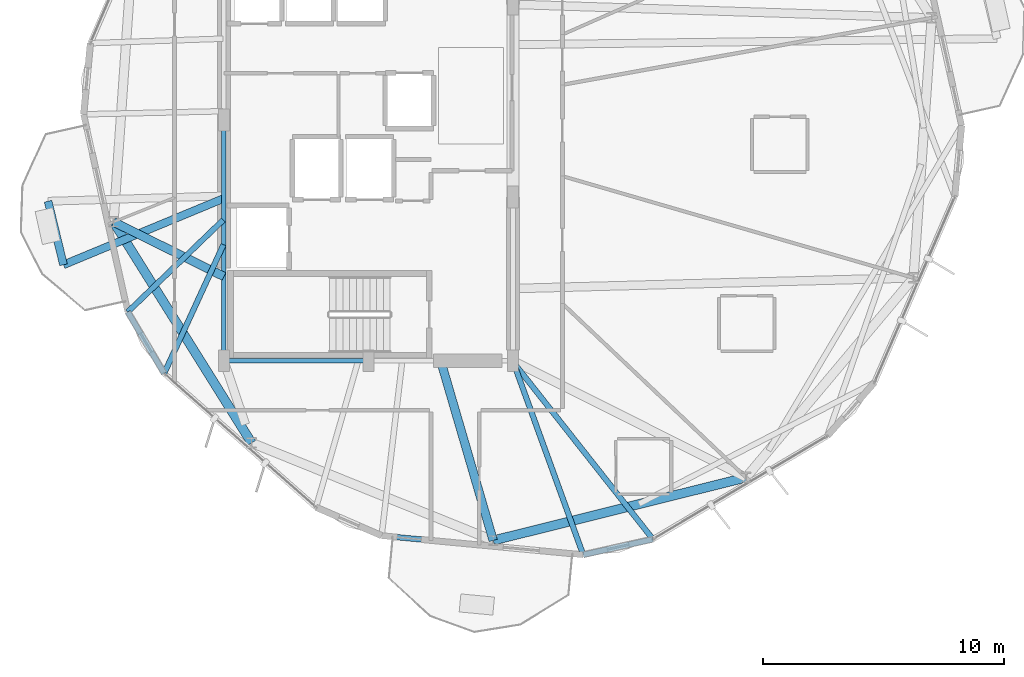
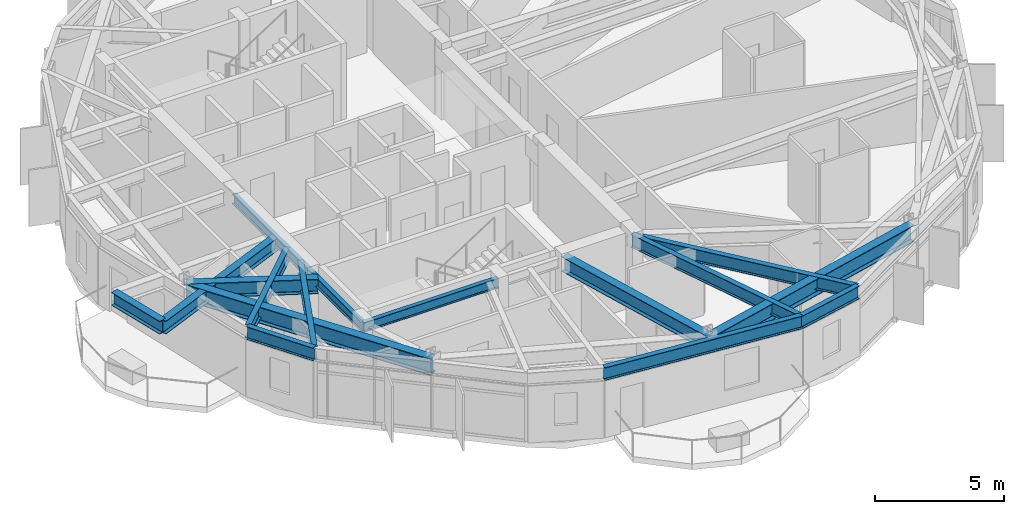
# One storey, part 3 of 21: 15 beams.
"""IFC4 building model written with IfcOpenShell, lengths in metres."""

from ifc_helpers import new_model, si_unit, direction, frame, origin, origin_2d, place, context, subcontext, project, spatial, i_section, extrude, material, material_profile, profile_set, type_object, element, save


model = new_model("IFC4")

# Units and contexts
model_context = context("Model", 3, precision=1e-05, world=origin(), true_north=direction((0.0, 1.0)))
body_context = subcontext(model_context, "Body", "Model", "MODEL_VIEW")
ifc_project = project(units=[si_unit("LENGTHUNIT", "METRE"), si_unit("AREAUNIT", "SQUARE_METRE"), si_unit("VOLUMEUNIT", "CUBIC_METRE"), si_unit("PLANEANGLEUNIT", "RADIAN"), si_unit("MASSUNIT", "GRAM", prefix="KILO")], contexts=[model_context])

# Site, building, storey
site_placement = place(None, origin())
site = spatial("IfcSite", under=ifc_project, at=site_placement, CompositionType="ELEMENT")
building_placement = place(site_placement, origin())
building = spatial("IfcBuilding", under=site, at=building_placement, Name="Soratama Intermodal Tower", CompositionType="ELEMENT")
storey_placement = place(building_placement, frame((0.0, 0.0, 146.199951171875)))
storey = spatial("IfcBuildingStorey", under=building, at=storey_placement, Name="L35", CompositionType="ELEMENT", Elevation=146.199951171875)

# Beams
ifc_material_1 = material(Name="Structural steel ASTM A992 Grade 50", Category="steel")
ifc_material_profile_1 = material_profile(ifc_material_1, i_section(OverallWidth=0.324951171875, OverallDepth=0.615966796875, WebThickness=0.013916015625, FlangeThickness=0.021484375, FilletRadius=0.013916015625, at=origin_2d()), Name="W24X117")
ifc_profile_set_1 = profile_set([ifc_material_profile_1], Name="Structural steel ASTM A992 Grade 50")
beam_type_1 = type_object("IfcBeamType", Name="BM-CANT-W24X117", PredefinedType="BEAM", material=ifc_profile_set_1)
beam_1_placement = place(storey_placement, frame((25.302978515625, 21.6240234375, 2.991943359375), z_axis=(0.235396640454, -0.971899388652, 0.0), x_axis=(0.971899388652, 0.235396640454, 0.0)))
element("IfcBeam", 1, at=beam_1_placement, inside=storey, type_object=beam_type_1, Name="BM-L35-CBHDR-3", PredefinedType="BEAM", context=body_context, shape_type="SweptSolid", body=[
    extrude(i_section(OverallWidth=0.324951171875, OverallDepth=0.615966796875, WebThickness=0.013916015625, FlangeThickness=0.021484375, FilletRadius=0.013916015625, at=origin_2d()), origin(), (0.0, 0.0, 1.0), 2.714111328125),
])
beam_2_placement = place(storey_placement, frame((32.56298828125, 21.72998046875, 2.991943359375), z_axis=(-0.923812940306, -0.382844160623, 0.0), x_axis=(0.382844160623, -0.923812940306, 0.0)))
element("IfcBeam", 2, at=beam_2_placement, inside=storey, type_object=beam_type_1, Name="BM-L35-CANT-3-2", PredefinedType="BEAM", context=body_context, shape_type="SweptSolid", body=[
    extrude(i_section(OverallWidth=0.324951171875, OverallDepth=0.615966796875, WebThickness=0.013916015625, FlangeThickness=0.021484375, FilletRadius=0.013916015625, at=origin_2d()), origin(), (0.0, 0.0, 1.0), 7.167236328125),
])
ifc_material_2 = material(Name="Structural steel ASTM A992 Grade 50", Category="steel")
ifc_material_profile_2 = material_profile(ifc_material_2, i_section(OverallWidth=0.19091796875, OverallDepth=0.4599609375, WebThickness=0.010009765625, FlangeThickness=0.01611328125, FilletRadius=0.010986328125, at=origin_2d()), Name="W18X55")
ifc_profile_set_2 = profile_set([ifc_material_profile_2], Name="Structural steel ASTM A992 Grade 50")
beam_type_2 = type_object("IfcBeamType", Name="BM-FLR-W18X55", PredefinedType="BEAM", material=ifc_profile_set_2)
beam_3_placement = place(storey_placement, frame((32.60009765625, 15.0, 3.070068359375), z_axis=(1.0, 0.0, 0.0), x_axis=(0.0, 1.0, 0.0)))
element("IfcBeam", 3, at=beam_3_placement, inside=storey, type_object=beam_type_2, Name="BM-L35-CRING-01", PredefinedType="BEAM", context=body_context, shape_type="SweptSolid", body=[
    extrude(i_section(OverallWidth=0.19091796875, OverallDepth=0.4599609375, WebThickness=0.010009765625, FlangeThickness=0.01611328125, FilletRadius=0.010986328125, at=origin_2d()), origin(), (0.0, 0.0, 1.0), 6.0),
])
beam_4_placement = place(storey_placement, frame((32.60009765625, 25.0, 3.070068359375), z_axis=(0.0, -1.0, 0.0), x_axis=(1.0, 0.0, 0.0)))
element("IfcBeam", 4, at=beam_4_placement, inside=storey, type_object=beam_type_2, Name="BM-L35-CRING-09", PredefinedType="BEAM", context=body_context, shape_type="SweptSolid", body=[
    extrude(i_section(OverallWidth=0.19091796875, OverallDepth=0.4599609375, WebThickness=0.010009765625, FlangeThickness=0.01611328125, FilletRadius=0.010986328125, at=origin_2d()), origin(), (0.0, 0.0, 1.0), 10.0),
])
ifc_material_3 = material(Name="Structural steel ASTM A992 Grade 50", Category="steel")
ifc_material_profile_3 = material_profile(ifc_material_3, i_section(OverallWidth=0.35498046875, OverallDepth=0.695068359375, WebThickness=0.015380859375, FlangeThickness=0.02490234375, FilletRadius=0.01611328125, at=origin_2d()), Name="W27X146")
ifc_profile_set_3 = profile_set([ifc_material_profile_3], Name="Structural steel ASTM A992 Grade 50")
beam_type_3 = type_object("IfcBeamType", Name="BM-RING-W27X146", PredefinedType="BEAM", material=ifc_profile_set_3)
beam_5_placement = place(storey_placement, frame((32.60009765625, 18.5, 2.95263671875), z_axis=(-0.89629219718, 0.443463975172, 0.0), x_axis=(-0.443463975172, -0.89629219718, 0.0)))
element("IfcBeam", 5, at=beam_5_placement, inside=storey, type_object=beam_type_3, Name="BM-L35-RAD-06", PredefinedType="BEAM", context=body_context, shape_type="SweptSolid", body=[
    extrude(i_section(OverallWidth=0.35498046875, OverallDepth=0.695068359375, WebThickness=0.015380859375, FlangeThickness=0.02490234375, FilletRadius=0.01611328125, at=origin_2d()), origin(), (0.0, 0.0, 1.0), 5.110107421875),
])
beam_6_placement = place(storey_placement, frame((41.60009765625, 15.0, 2.95263671875), z_axis=(0.280473008484, -0.959861912731, 0.0), x_axis=(0.959861912731, 0.280473008484, 0.0)))
element("IfcBeam", 6, at=beam_6_placement, inside=storey, type_object=beam_type_3, Name="BM-L35-RAD-08", PredefinedType="BEAM", context=body_context, shape_type="SweptSolid", body=[
    extrude(i_section(OverallWidth=0.35498046875, OverallDepth=0.695068359375, WebThickness=0.015380859375, FlangeThickness=0.02490234375, FilletRadius=0.01611328125, at=origin_2d()), origin(), (0.0, 0.0, 1.0), 7.768798828125),
])
ifc_material_4 = material(Name="Structural steel ASTM A992 Grade 50", Category="steel")
ifc_material_profile_4 = material_profile(ifc_material_4, i_section(OverallWidth=0.382080078125, OverallDepth=0.779052734375, WebThickness=0.01806640625, FlangeThickness=0.030029296875, FilletRadius=0.01806640625, at=origin_2d()), Name="W30X191")
ifc_profile_set_4 = profile_set([ifc_material_profile_4], Name="Structural steel ASTM A992 Grade 50")
beam_type_4 = type_object("IfcBeamType", Name="BM-RING-W30X191", PredefinedType="BEAM", material=ifc_profile_set_4)
beam_7_placement = place(storey_placement, frame((28.02001953125, 20.76611328125, 2.91064453125), z_axis=(0.529891394359, -0.84806551055, 0.0), x_axis=(0.84806551055, 0.529891394359, 0.0)))
element("IfcBeam", 7, at=beam_7_placement, inside=storey, type_object=beam_type_4, Name="BM-L35-RING-06", PredefinedType="BEAM", context=body_context, shape_type="SweptSolid", body=[
    extrude(i_section(OverallWidth=0.382080078125, OverallDepth=0.779052734375, WebThickness=0.01806640625, FlangeThickness=0.030029296875, FilletRadius=0.01806640625, at=origin_2d()), origin(), (0.0, 0.0, 1.0), 10.8154296875),
])
beam_8_placement = place(storey_placement, frame((43.779052734375, 7.54296875, 2.91064453125), z_axis=(0.970310893227, 0.241861056155, 0.0), x_axis=(-0.241861056155, 0.970310893227, 0.0)))
element("IfcBeam", 8, at=beam_8_placement, inside=storey, type_object=beam_type_4, Name="BM-L35-RING-08", PredefinedType="BEAM", context=body_context, shape_type="SweptSolid", body=[
    extrude(i_section(OverallWidth=0.382080078125, OverallDepth=0.779052734375, WebThickness=0.01806640625, FlangeThickness=0.030029296875, FilletRadius=0.01806640625, at=origin_2d()), origin(), (0.0, 0.0, 1.0), 10.81591796875),
])
ifc_material_5 = material(Name="Structural steel ASTM A992 Grade 50", Category="steel")
ifc_material_profile_5 = material_profile(ifc_material_5, i_section(OverallWidth=0.22900390625, OverallDepth=0.612060546875, WebThickness=0.011962890625, FlangeThickness=0.01953125, FilletRadius=0.012939453125, at=origin_2d()), Name="W24X84")
ifc_profile_set_5 = profile_set([ifc_material_profile_5], Name="Structural steel ASTM A992 Grade 50")
beam_type_5 = type_object("IfcBeamType", Name="BM-SPN-W24X84", PredefinedType="SPANDREL", material=ifc_profile_set_5)
beam_9_placement = place(storey_placement, frame((28.610107421875, 17.030029296875, 2.994140625), z_axis=(0.509086995036, -0.860715069861, 0.0), x_axis=(0.860715069861, 0.509086995036, 0.0)))
element("IfcBeam", 9, at=beam_9_placement, inside=storey, type_object=beam_type_5, Name="BS-L35-CRN05", PredefinedType="SPANDREL", context=body_context, shape_type="SweptSolid", body=[
    extrude(i_section(OverallWidth=0.22900390625, OverallDepth=0.612060546875, WebThickness=0.011962890625, FlangeThickness=0.01953125, FilletRadius=0.012939453125, at=origin_2d()), origin(), (0.0, 0.0, 1.0), 2.966064453125),
])
beam_10_placement = place(storey_placement, frame((39.14697265625, 7.739990234375, 2.994140625), z_axis=(0.995561805167, -0.094109999963, 0.0), x_axis=(0.094109999963, 0.995561805167, 0.0)))
element("IfcBeam", 10, at=beam_10_placement, inside=storey, type_object=beam_type_5, Name="BS-L35-F07", PredefinedType="SPANDREL", context=body_context, shape_type="SweptSolid", body=[
    extrude(i_section(OverallWidth=0.22900390625, OverallDepth=0.612060546875, WebThickness=0.011962890625, FlangeThickness=0.01953125, FilletRadius=0.012939453125, at=origin_2d()), origin(), (0.0, 0.0, 1.0), 8.4052734375),
])
beam_11_placement = place(storey_placement, frame((47.514892578125, 6.948974609375, 2.994140625), z_axis=(0.975926871141, 0.218098010501, 0.0), x_axis=(-0.218098010501, 0.975926871141, 0.0)))
element("IfcBeam", 11, at=beam_11_placement, inside=storey, type_object=beam_type_5, Name="BS-L35-CRN07", PredefinedType="SPANDREL", context=body_context, shape_type="SweptSolid", body=[
    extrude(i_section(OverallWidth=0.22900390625, OverallDepth=0.612060546875, WebThickness=0.011962890625, FlangeThickness=0.01953125, FilletRadius=0.012939453125, at=origin_2d()), origin(), (0.0, 0.0, 1.0), 2.966552734375),
])
ifc_material_6 = material(Name="Structural steel ASTM A992 Grade 50", Category="steel")
ifc_material_profile_6 = material_profile(ifc_material_6, i_section(OverallWidth=0.22900390625, OverallDepth=0.612060546875, WebThickness=0.011962890625, FlangeThickness=0.01953125, FilletRadius=0.012939453125, at=origin_2d()), Name="W24X84")
ifc_profile_set_6 = profile_set([ifc_material_profile_6], Name="Structural steel ASTM A992 Grade 50")
beam_type_6 = type_object("IfcBeamType", Name="BM-TIE-W24X84", PredefinedType="BEAM", material=ifc_profile_set_6)
beam_12_placement = place(storey_placement, frame((32.571044921875, 20.845947265625, 2.994140625), z_axis=(-0.720167409337, -0.69380033333, 0.0), x_axis=(0.69380033333, -0.720167409337, 0.0)))
element("IfcBeam", 12, at=beam_12_placement, inside=storey, type_object=beam_type_6, Name="BM-L35-TIE1-05", PredefinedType="BEAM", context=body_context, shape_type="SweptSolid", body=[
    extrude(i_section(OverallWidth=0.22900390625, OverallDepth=0.612060546875, WebThickness=0.011962890625, FlangeThickness=0.01953125, FilletRadius=0.012939453125, at=origin_2d()), origin(), (0.0, 0.0, 1.0), 5.5),
])
beam_13_placement = place(storey_placement, frame((32.5830078125, 19.823974609375, 2.994140625), z_axis=(-0.418369015541, -0.908277142086, 0.0), x_axis=(0.908277142086, -0.418369015541, 0.0)))
element("IfcBeam", 13, at=beam_13_placement, inside=storey, type_object=beam_type_6, Name="BM-L35-TIE0-06", PredefinedType="BEAM", context=body_context, shape_type="SweptSolid", body=[
    extrude(i_section(OverallWidth=0.22900390625, OverallDepth=0.612060546875, WebThickness=0.011962890625, FlangeThickness=0.01953125, FilletRadius=0.012939453125, at=origin_2d()), origin(), (0.0, 0.0, 1.0), 5.886962890625),
])
beam_14_placement = place(storey_placement, frame((44.60888671875, 14.9619140625, 2.994140625), z_axis=(0.340935710738, -0.940086613639, 0.0), x_axis=(0.940086613639, 0.340935710738, 0.0)))
element("IfcBeam", 14, at=beam_14_placement, inside=storey, type_object=beam_type_6, Name="BM-L35-TIE1-07", PredefinedType="BEAM", context=body_context, shape_type="SweptSolid", body=[
    extrude(i_section(OverallWidth=0.22900390625, OverallDepth=0.612060546875, WebThickness=0.011962890625, FlangeThickness=0.01953125, FilletRadius=0.012939453125, at=origin_2d()), origin(), (0.0, 0.0, 1.0), 8.523681640625),
])
beam_15_placement = place(storey_placement, frame((44.593994140625, 14.968994140625, 2.994140625), z_axis=(0.619322235004, -0.785136911137, 0.0), x_axis=(0.785136911137, 0.619322235004, 0.0)))
element("IfcBeam", 15, at=beam_15_placement, inside=storey, type_object=beam_type_6, Name="BM-L35-TIE0-08", PredefinedType="BEAM", context=body_context, shape_type="SweptSolid", body=[
    extrude(i_section(OverallWidth=0.22900390625, OverallDepth=0.612060546875, WebThickness=0.011962890625, FlangeThickness=0.01953125, FilletRadius=0.012939453125, at=origin_2d()), origin(), (0.0, 0.0, 1.0), 9.390869140625),
])

save(model, "model.ifc")
